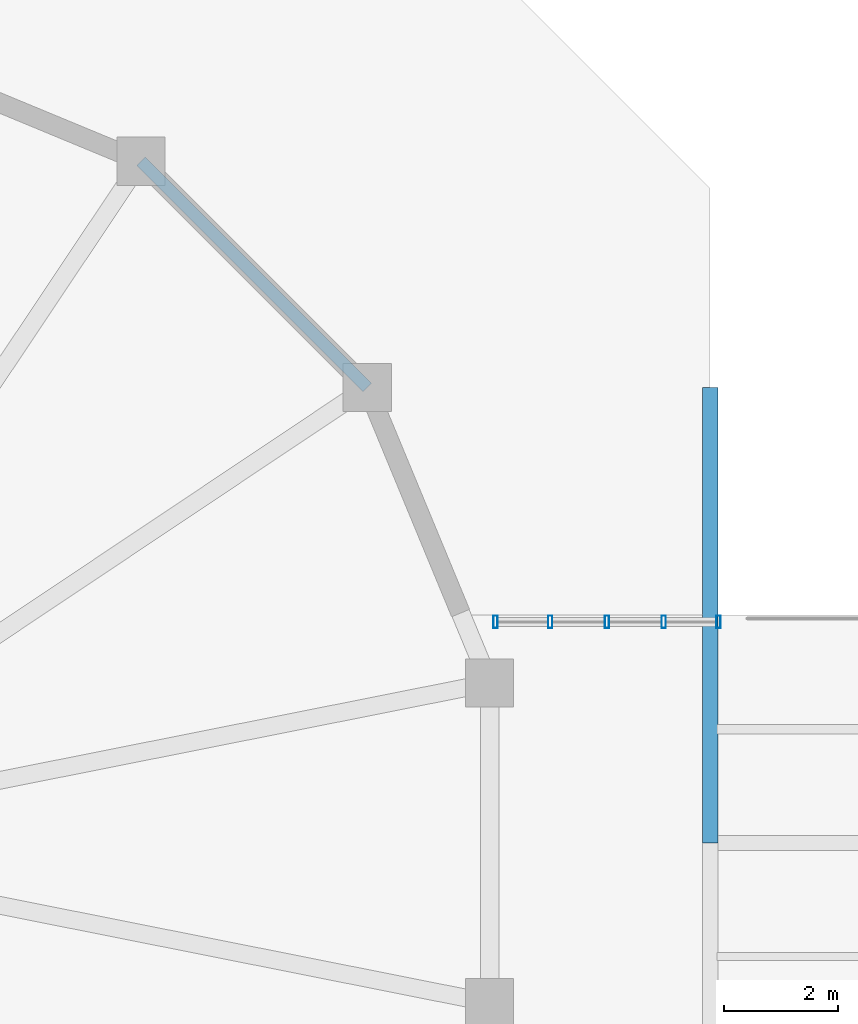
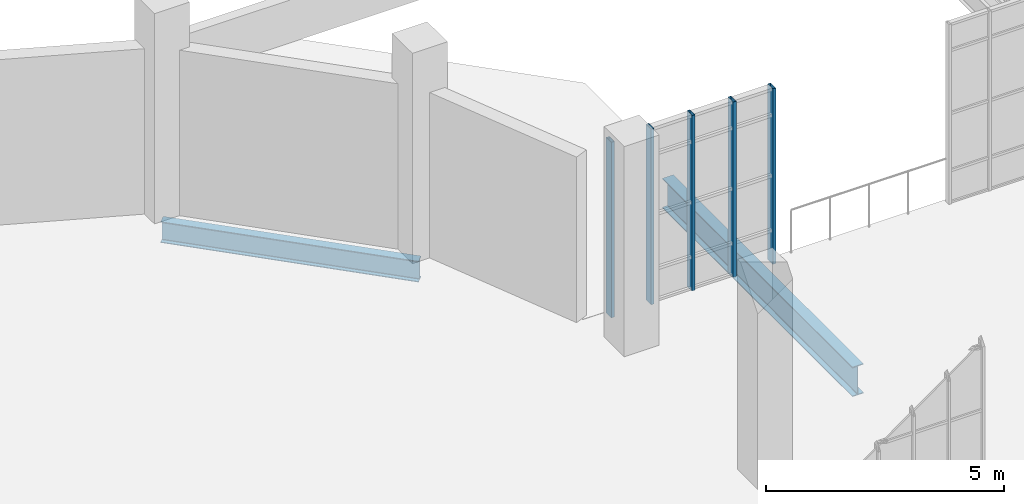
# One storey, part 60 of 142: 5 members, 2 beams, 1 element without a shape of its own.
"""IFC4 building model written with IfcOpenShell, lengths in metres."""

import ifcopenshell
import ifcopenshell.guid

model = None  # the IFC model being written
_history = None  # IfcOwnerHistory: only IFC2X3 demands one
_inside = {}  # id of a spatial element -> (the spatial element, [elements in it])
_under = {}  # id of a project, library or spatial element -> (it, [spatial elements below it])
_declared = {}  # id of a project -> (the project, [libraries it declares])
_typed = {}  # id of a type object -> (the type object, [elements of that type])
_made_of = {}  # id of a material, layer set ... -> (it, [elements and type objects made of it])


def new_model(schema):
    """Start an empty IFC model of exactly this schema.

    Asked for "IFC4X3", IfcOpenShell would pick the latest addendum, in which some entities
    have other attributes; the version numbers below select the first issue.
    IFC2X3 requires an IfcOwnerHistory on every rooted entity: one is made here for all.
    """
    global model, _history
    if schema == "IFC4X3":
        model = ifcopenshell.file(schema_version=(4, 3, 0, 0))
    else:
        model = ifcopenshell.file(schema=schema)
    _inside.clear()
    _under.clear()
    _declared.clear()
    _typed.clear()
    _made_of.clear()
    _history = None
    if model.schema == "IFC2X3":
        org = make("IfcOrganization", Name="unknown")
        user = make(
            "IfcPersonAndOrganization",
            ThePerson=make("IfcPerson", FamilyName="unknown"),
            TheOrganization=org,
        )
        app = make(
            "IfcApplication",
            ApplicationDeveloper=org,
            Version="unknown",
            ApplicationFullName="unknown",
            ApplicationIdentifier="unknown",
        )
        _history = make(
            "IfcOwnerHistory",
            OwningUser=user,
            OwningApplication=app,
            ChangeAction="ADDED",
            CreationDate=0,
        )
    return model


def make(cls, **values):
    """One entity of the class cls with the attributes given. An attribute that is None is left unset."""
    return model.create_entity(
        cls, **{name: value for name, value in values.items() if value is not None}
    )


def rooted(cls, **values):
    """An entity with a GlobalId (a new one), such as an element, a storey or a relation."""
    return make(cls, GlobalId=ifcopenshell.guid.new(), OwnerHistory=_history, **values)


def si_unit(unit_type, name, prefix=None):
    """IfcSIUnit, for example si_unit("LENGTHUNIT", "METRE", prefix="MILLI")."""
    return make("IfcSIUnit", UnitType=unit_type, Prefix=prefix, Name=name)


def assignment(units):
    """IfcUnitAssignment: the units of a project."""
    return None if units is None else make("IfcUnitAssignment", Units=units)


def point(xyz):
    """IfcCartesianPoint."""
    return None if xyz is None else make("IfcCartesianPoint", Coordinates=xyz)


def direction(xyz):
    """IfcDirection."""
    return None if xyz is None else make("IfcDirection", DirectionRatios=xyz)


def frame(location, z_axis=None, x_axis=None):
    """IfcAxis2Placement3D, a coordinate frame: its origin and axes. An axis left out is left unset."""
    return make(
        "IfcAxis2Placement3D",
        Location=point(location),
        Axis=direction(z_axis),
        RefDirection=direction(x_axis),
    )


def frame_2d(location, x_axis=None):
    """IfcAxis2Placement2D, a coordinate frame in the plane: its origin and x axis."""
    return make(
        "IfcAxis2Placement2D", Location=point(location), RefDirection=direction(x_axis)
    )


def origin():
    """The frame at (0, 0, 0) with its axes left unset."""
    return frame((0.0, 0.0, 0.0))


def origin_2d():
    """The frame at (0, 0) in the plane with its x axis left unset."""
    return frame_2d((0.0, 0.0))


def place(relative_to, where):
    """IfcLocalPlacement: puts the frame where relative to a parent placement (None: the world)."""
    return make(
        "IfcLocalPlacement", PlacementRelTo=relative_to, RelativePlacement=where
    )


def context(
    kind, dimensions, precision=None, world=None, true_north=None, identifier=None
):
    """IfcGeometricRepresentationContext, for example the 3D "Model" context."""
    return make(
        "IfcGeometricRepresentationContext",
        ContextIdentifier=identifier,
        ContextType=kind,
        CoordinateSpaceDimension=dimensions,
        Precision=precision,
        WorldCoordinateSystem=world,
        TrueNorth=true_north,
    )


def subcontext(parent, identifier, kind, view, scale=None):
    """IfcGeometricRepresentationSubContext, for example "Body" below "Model"."""
    return make(
        "IfcGeometricRepresentationSubContext",
        ContextIdentifier=identifier,
        ContextType=kind,
        ParentContext=parent,
        TargetScale=scale,
        TargetView=view,
    )


def project(units=None, contexts=None):
    """IfcProject with its units and contexts."""
    return rooted(
        "IfcProject",
        Name="project",
        RepresentationContexts=contexts,
        UnitsInContext=assignment(units),
    )


def spatial(cls, under=None, at=None, **own):
    """A site, building, storey or space (cls), placed at a placement, below another one or the project."""
    s = rooted(cls, ObjectPlacement=at, **own)
    if under is not None:
        _under.setdefault(under.id(), (under, []))[1].append(s)
    return s


def profile(cls, at=None, kind="AREA", **sizes):
    """A parametric profile (cls). Its sizes go by their IFC names, for example OverallWidth=200.0."""
    return make(cls, ProfileType=kind, Position=at, **sizes)


def hollow_rectangle(**sizes):
    """IfcRectangleHollowProfileDef."""
    return profile("IfcRectangleHollowProfileDef", **sizes)


def i_section(**sizes):
    """IfcIShapeProfileDef."""
    return profile("IfcIShapeProfileDef", **sizes)


def extrude(swept, where, along, depth):
    """IfcExtrudedAreaSolid: the profile swept, set in the frame where, extruded along a direction by depth."""
    return make(
        "IfcExtrudedAreaSolid",
        SweptArea=swept,
        Position=where,
        ExtrudedDirection=direction(along),
        Depth=depth,
    )


def shape(context_of_items, identifier, shape_type, items):
    """IfcShapeRepresentation: the items that make up one representation, for example the "Body"."""
    return make(
        "IfcShapeRepresentation",
        ContextOfItems=context_of_items,
        RepresentationIdentifier=identifier,
        RepresentationType=shape_type,
        Items=items,
    )


def material(Name=None, Category=None):
    """IfcMaterial."""
    return make("IfcMaterial", Name=Name, Category=Category)


def layer(
    of_material, thickness, ventilated=None, Name=None, Category=None, Priority=None
):
    """IfcMaterialLayer: one layer of a wall or slab, of a material (None: an air gap)."""
    return make(
        "IfcMaterialLayer",
        Material=of_material,
        LayerThickness=thickness,
        IsVentilated=ventilated,
        Name=Name,
        Category=Category,
        Priority=Priority,
    )


def layer_set(layers, Name=None):
    """IfcMaterialLayerSet."""
    return make("IfcMaterialLayerSet", MaterialLayers=layers, LayerSetName=Name)


def material_profile(
    of_material, cross_section, Name=None, Category=None, Priority=None
):
    """IfcMaterialProfile: a cross section and its material."""
    return make(
        "IfcMaterialProfile",
        Name=Name,
        Material=of_material,
        Profile=cross_section,
        Priority=Priority,
        Category=Category,
    )


def profile_set(profiles, Name=None, composite=None):
    """IfcMaterialProfileSet."""
    return make(
        "IfcMaterialProfileSet",
        Name=Name,
        MaterialProfiles=profiles,
        CompositeProfile=composite,
    )


def made_of(thing, what):
    """Note that an element or type object is made of a material, layer set ...; save() writes the relation."""
    if what is not None:
        _made_of.setdefault(what.id(), (what, []))[1].append(thing)
    return thing


def type_object(cls, material=None, **own):
    """A type object (cls), such as IfcWallType, which elements share."""
    return made_of(rooted(cls, **own), material)


def element(
    cls,
    number,
    at=None,
    inside=None,
    cuts=None,
    type_object=None,
    material=None,
    context=None,
    identifier="Body",
    shape_type=None,
    held_by="IfcProductDefinitionShape",
    body=None,
    shapes=None,
    **own,
):
    """One element of the class cls, such as IfcWall. Its Tag is "e" and its number.

    at: its placement. inside: the storey or other place that contains it. cuts: it is an
    opening in that element (IfcRelVoidsElement). A single representation is given by context,
    identifier, shape_type and body (its items); several are given by shapes. held_by: the class
    of the entity that holds the representations. save() writes the other relations.
    """
    e = rooted(cls, Tag="e%d" % number, ObjectPlacement=at, **own)
    if body is not None:
        shapes = [shape(context, identifier, shape_type, body)]
    if shapes is not None:
        e.Representation = make(held_by, Representations=shapes)
    if inside is not None:
        _inside.setdefault(inside.id(), (inside, []))[1].append(e)
    if cuts is not None:
        rooted(
            "IfcRelVoidsElement", RelatingBuildingElement=cuts, RelatedOpeningElement=e
        )
    if type_object is not None:
        _typed.setdefault(type_object.id(), (type_object, []))[1].append(e)
    return made_of(e, material)


def aggregate(whole, parts):
    """IfcRelAggregates: a whole, such as a stair, and the parts it consists of."""
    return rooted("IfcRelAggregates", RelatingObject=whole, RelatedObjects=parts)


def save(model, path):
    """Write the relations noted so far, then the file.

    IfcRelAggregates (storeys below a building ...), IfcRelContainedInSpatialStructure (elements
    in a storey), IfcRelDefinesByType, IfcRelAssociatesMaterial and IfcRelDeclares: one each for
    every whole, place, type object, material and project.
    """
    for whole, parts in _under.values():
        aggregate(whole, parts)
    for where, things in _inside.values():
        rooted(
            "IfcRelContainedInSpatialStructure",
            RelatedElements=things,
            RelatingStructure=where,
        )
    for kind, things in _typed.values():
        rooted("IfcRelDefinesByType", RelatedObjects=things, RelatingType=kind)
    for what, things in _made_of.values():
        rooted("IfcRelAssociatesMaterial", RelatedObjects=things, RelatingMaterial=what)
    for by, libraries in _declared.values():
        rooted("IfcRelDeclares", RelatingContext=by, RelatedDefinitions=libraries)
    model.write(path)


model = new_model("IFC4")

# Units and contexts
model_context = context("Model", 3, precision=1e-05, world=origin(), true_north=direction((0.0, 1.0)))
body_context = subcontext(model_context, "Body", "Model", "MODEL_VIEW")
ifc_project = project(units=[si_unit("LENGTHUNIT", "METRE"), si_unit("AREAUNIT", "SQUARE_METRE"), si_unit("VOLUMEUNIT", "CUBIC_METRE"), si_unit("PLANEANGLEUNIT", "RADIAN"), si_unit("MASSUNIT", "GRAM", prefix="KILO"), si_unit("THERMODYNAMICTEMPERATUREUNIT", "KELVIN"), si_unit("POWERUNIT", "WATT")], contexts=[model_context])

# Site, building, storey
site_placement = place(None, origin())
site = spatial("IfcSite", under=ifc_project, at=site_placement, CompositionType="ELEMENT")
building_placement = place(site_placement, origin())
building = spatial("IfcBuilding", under=site, at=building_placement, Name="Zelmaris Science Centre", CompositionType="ELEMENT")
storey_placement = place(building_placement, frame((0.0, 0.0, 5.39990234375)))
storey = spatial("IfcBuildingStorey", under=building, at=storey_placement, Name="L01", CompositionType="ELEMENT", Elevation=5.39990234375)

# Curtain wall, members
ifc_material_1 = material(Name="Anodised architectural aluminium 6063-T6", Category="aluminium")
ifc_layer = layer(ifc_material_1, 0.199951171875, Name="Anodised architectural aluminium 6063-T6")
ifc_layer_set = layer_set([ifc_layer], Name="Anodised architectural aluminium 6063-T6")
curtain_wall_type = type_object("IfcCurtainWallType", Name="Curtain Wall CW-02", PredefinedType="USERDEFINED", material=ifc_layer_set)
curtain_wall_placement = place(storey_placement, origin())
curtain_wall = element("IfcCurtainWall", 1, at=curtain_wall_placement, inside=storey, type_object=curtain_wall_type, Name="L01 Unitised curtain wall 126", ObjectType="GLAZED CURTAIN WALL", PredefinedType="USERDEFINED")
ifc_material_profile_1 = material_profile(ifc_material_1, hollow_rectangle(XDim=0.074951171875, YDim=0.219970703125, WallThickness=0.0048828125, at=origin_2d()), Name="ALU-MUL-75X220")
ifc_profile_set_1 = profile_set([ifc_material_profile_1], Name="Anodised architectural aluminium 6063-T6")
member_type = type_object("IfcMemberType", Name="ALU-MUL-75X220", PredefinedType="MULLION", material=ifc_profile_set_1)
member_1_placement = place(storey_placement, frame((41.226318359375, 75.882568359375, -0.014892578125), z_axis=(0.0, 0.0, 1.0), x_axis=(0.999999981234, -0.000193731546, 0.0)))
member_1 = element("IfcMember", 2, at=member_1_placement, type_object=member_type, Name="CW-02 mullion 1", PredefinedType="MULLION", context=body_context, shape_type="SweptSolid", body=[
    extrude(hollow_rectangle(XDim=0.074951171875, YDim=0.219970703125, WallThickness=0.0048828125, at=origin_2d()), origin(), (0.0, 0.0, 1.0), 4.508056640625),
])
member_2_placement = place(storey_placement, frame((42.18994140625, 75.88232421875, -0.014892578125), z_axis=(0.0, 0.0, 1.0), x_axis=(0.999999981234, -0.000193731546, 0.0)))
member_2 = element("IfcMember", 3, at=member_2_placement, type_object=member_type, Name="CW-02 mullion 2", PredefinedType="MULLION", context=body_context, shape_type="SweptSolid", body=[
    extrude(hollow_rectangle(XDim=0.074951171875, YDim=0.219970703125, WallThickness=0.0048828125, at=origin_2d()), origin(), (0.0, 0.0, 1.0), 4.508056640625),
])
member_3_placement = place(storey_placement, frame((43.187255859375, 75.882080078125, -0.014892578125), z_axis=(0.0, 0.0, 1.0), x_axis=(0.999999981234, -0.000193731546, 0.0)))
member_3 = element("IfcMember", 4, at=member_3_placement, type_object=member_type, Name="CW-02 mullion 3", PredefinedType="MULLION", context=body_context, shape_type="SweptSolid", body=[
    extrude(hollow_rectangle(XDim=0.074951171875, YDim=0.219970703125, WallThickness=0.0048828125, at=origin_2d()), origin(), (0.0, 0.0, 1.0), 4.508056640625),
])
member_4_placement = place(storey_placement, frame((44.1845703125, 75.8818359375, -0.014892578125), z_axis=(0.0, 0.0, 1.0), x_axis=(0.999999981234, -0.000193731546, 0.0)))
member_4 = element("IfcMember", 5, at=member_4_placement, type_object=member_type, Name="CW-02 mullion 4", PredefinedType="MULLION", context=body_context, shape_type="SweptSolid", body=[
    extrude(hollow_rectangle(XDim=0.074951171875, YDim=0.219970703125, WallThickness=0.0048828125, at=origin_2d()), origin(), (0.0, 0.0, 1.0), 4.508056640625),
])
member_5_placement = place(storey_placement, frame((45.148193359375, 75.881591796875, -0.014892578125), z_axis=(0.0, 0.0, 1.0), x_axis=(0.999999981234, -0.000193731546, 0.0)))
member_5 = element("IfcMember", 6, at=member_5_placement, type_object=member_type, Name="CW-02 mullion 5", PredefinedType="MULLION", context=body_context, shape_type="SweptSolid", body=[
    extrude(hollow_rectangle(XDim=0.074951171875, YDim=0.219970703125, WallThickness=0.0048828125, at=origin_2d()), origin(), (0.0, 0.0, 1.0), 4.508056640625),
])
aggregate(curtain_wall, [member_1, member_2, member_3, member_4, member_5])

# Beams
ifc_material_2 = material(Name="Steel ASTM A992 Grade 50", Category="steel")
ifc_material_profile_2 = material_profile(ifc_material_2, i_section(OverallWidth=0.26708984375, OverallDepth=0.761962890625, WebThickness=0.014404296875, FlangeThickness=0.021484375, FilletRadius=0.01904296875, at=origin_2d()), Name="W30X116")
ifc_profile_set_2 = profile_set([ifc_material_profile_2], Name="Steel ASTM A992 Grade 50")
beam_type_1 = type_object("IfcBeamType", Name="Beam G-33 W30X116", PredefinedType="BEAM", material=ifc_profile_set_2)
beam_1_placement = place(storey_placement, frame((45.0, 72.0, -0.660888671875), z_axis=(0.0, 1.0, 0.0), x_axis=(-1.0, 0.0, 0.0)))
element("IfcBeam", 7, at=beam_1_placement, inside=storey, type_object=beam_type_1, Name="L01 North-south girder 270", PredefinedType="BEAM", context=body_context, shape_type="SweptSolid", body=[
    extrude(i_section(OverallWidth=0.26708984375, OverallDepth=0.761962890625, WebThickness=0.014404296875, FlangeThickness=0.021484375, FilletRadius=0.01904296875, at=origin_2d()), origin(), (0.0, 0.0, 1.0), 8.0),
])
ifc_material_profile_3 = material_profile(ifc_material_2, i_section(OverallWidth=0.2109375, OverallDepth=0.5380859375, WebThickness=0.01171875, FlangeThickness=0.018798828125, FilletRadius=0.013916015625, at=origin_2d()), Name="W21X73")
ifc_profile_set_3 = profile_set([ifc_material_profile_3], Name="Steel ASTM A992 Grade 50")
beam_type_2 = type_object("IfcBeamType", Name="Beam SP-02 W21X73", PredefinedType="SPANDREL", material=ifc_profile_set_3)
beam_2_placement = place(storey_placement, frame((38.97314453125, 80.000244140625, -0.548828125), z_axis=(-0.707106781187, 0.707106781187, 0.0), x_axis=(-0.707106781187, -0.707106781187, 0.0)))
element("IfcBeam", 8, at=beam_2_placement, inside=storey, type_object=beam_type_2, Name="L01 Planetarium drum ring beam 2", PredefinedType="SPANDREL", context=body_context, shape_type="SweptSolid", body=[
    extrude(i_section(OverallWidth=0.2109375, OverallDepth=0.5380859375, WebThickness=0.01171875, FlangeThickness=0.018798828125, FilletRadius=0.013916015625, at=origin_2d()), origin(), (0.0, 0.0, 1.0), 5.618408203125),
])

save(model, "model.ifc")
